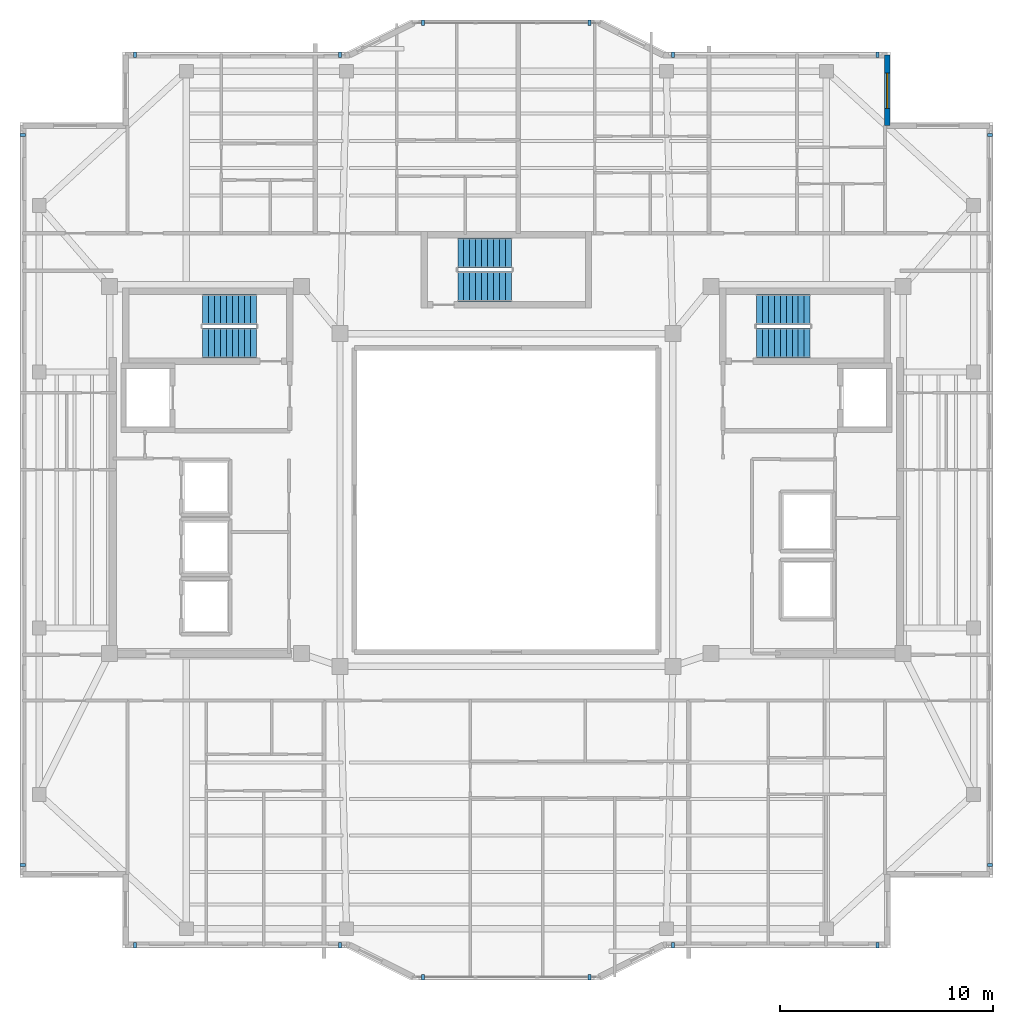
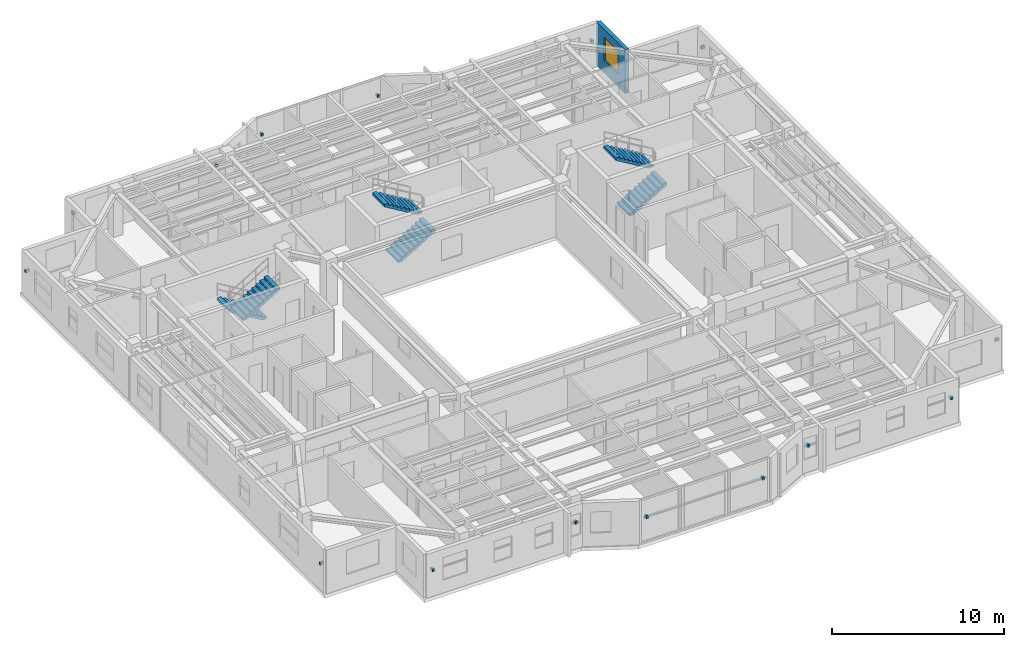
# One storey, part 12 of 15: 16 discrete accessories, 6 stair flights, 1 wall, 1 window, 1 opening, 3 elements without a shape of their own.
"""IFC4 building model written with IfcOpenShell, lengths in metres."""

from ifc_helpers import new_model, si_unit, direction, frame, frame_2d, origin, origin_2d, place, context, subcontext, project, spatial, polyline, rectangle, outline, extrude, material, layer, layer_set, type_object, element, fill, aggregate, save


model = new_model("IFC4")

# Units and contexts
model_context = context("Model", 3, precision=1e-05, world=origin(), true_north=direction((0.0, 1.0)))
body_context = subcontext(model_context, "Body", "Model", "MODEL_VIEW")
ifc_project = project(units=[si_unit("LENGTHUNIT", "METRE"), si_unit("AREAUNIT", "SQUARE_METRE"), si_unit("VOLUMEUNIT", "CUBIC_METRE"), si_unit("PLANEANGLEUNIT", "RADIAN"), si_unit("MASSUNIT", "GRAM", prefix="KILO")], contexts=[model_context])

# Site, building, storey
site_placement = place(None, origin())
site = spatial("IfcSite", under=ifc_project, at=site_placement, CompositionType="ELEMENT")
building_placement = place(site_placement, origin())
building = spatial("IfcBuilding", under=site, at=building_placement, Name="Tarnavaz Court Tower", CompositionType="ELEMENT")
storey_placement = place(building_placement, frame((0.0, 0.0, 241.5)))
storey = spatial("IfcBuildingStorey", under=building, at=storey_placement, Name="L65", CompositionType="ELEMENT", Elevation=241.5)

# Wall, opening, window
ifc_material_1 = material(Name="Precast Concrete C40/50", Category="concrete")
ifc_layer = layer(ifc_material_1, 0.260009765625)
ifc_layer_set = layer_set([ifc_layer], Name="Precast Concrete C40/50")
wall_type = type_object("IfcWallType", Name="WL-EXT-260", PredefinedType="SOLIDWALL", material=ifc_layer_set)
wall_placement = place(storey_placement, frame((17.85009765625, 20.85009765625, 0.0), z_axis=(0.0, 0.0, 1.0), x_axis=(0.0, -1.0, 0.0)))
wall = element("IfcWall", 1, at=wall_placement, inside=storey, type_object=wall_type, Name="L65 Exterior Terracotta Facade Wall 10", PredefinedType="SOLIDWALL", context=body_context, shape_type="SweptSolid", body=[
    extrude(rectangle(XDim=3.300048828125, YDim=0.260009765625, at=frame_2d((1.64990234375, 0.0))), origin(), (0.0, 0.0, 1.0), 3.10009765625),
])
opening_placement = place(wall_placement, frame((0.842529296875, 0.0, 0.89990234375)))
opening = element("IfcOpeningElement", 2, at=opening_placement, cuts=wall, Name="Opening W02", PredefinedType="OPENING", context=body_context, shape_type="SweptSolid", body=[
    extrude(rectangle(XDim=1.64990234375, YDim=1.60009765625, at=frame_2d((0.824951171875, 0.800048828125))), frame((0.0, 0.139892578125, 0.0), z_axis=(0.0, -1.0, 0.0), x_axis=(1.0, 0.0, 0.0)), (0.0, 0.0, 1.0), 0.280029296875),
])
ifc_material_2 = material(Name="Double-Glazed Solar Low-E Glass", Category="glass")
window_type = type_object("IfcWindowType", Name="WN-APT-1650", PartitioningType="DOUBLE_PANEL_VERTICAL", PredefinedType="WINDOW", material=ifc_material_2)
window_placement = place(opening_placement, origin())
window = element("IfcWindow", 3, at=window_placement, inside=storey, type_object=window_type, Name="L65 Flat 04 Bedroom 1 Window", OverallHeight=1.60009765625, OverallWidth=1.64990234375, PartitioningType="SINGLE_PANEL", PredefinedType="WINDOW", context=body_context, shape_type="SweptSolid", body=[
    extrude(rectangle(XDim=1.64990234375, YDim=1.60009765625, at=frame_2d((0.824951171875, 0.800048828125))), frame((0.0, 0.030029296875, 0.0), z_axis=(0.0, -1.0, 0.0), x_axis=(1.0, 0.0, 0.0)), (0.0, 0.0, 1.0), 0.06005859375),
])
fill(opening, window)

# Stair, stair flights
ifc_material_3 = material(Name="Concrete C40/50", Category="concrete")
stair_type = type_object("IfcStairType", Name="ST-TWR-20R", PredefinedType="HALF_TURN_STAIR", material=ifc_material_3)
stair_1_placement = place(storey_placement, origin())
stair_1 = element("IfcStair", 4, at=stair_1_placement, inside=storey, type_object=stair_type, Name="L65 West Core Pressurized Exit Stair ST-W1", PredefinedType="HALF_TURN_STAIR")
stair_flight_type = type_object("IfcStairFlightType", Name="SFL-RC-20R", PredefinedType="STRAIGHT", material=ifc_material_3)
stair_flight_1_placement = place(storey_placement, frame((-11.719970703125, 8.929931640625, 0.0), z_axis=(0.0, 0.0, 1.0), x_axis=(-1.0, 0.0, 0.0)))
stair_flight_1 = element("IfcStairFlight", 5, at=stair_flight_1_placement, type_object=stair_flight_type, Name="ST-W1 flight 1", NumberOfRisers=10, NumberOfTreads=9, PredefinedType="STRAIGHT", RiserHeight=0.1675, TreadLength=0.28, context=body_context, shape_type="SweptSolid", body=[
    extrude(outline(polyline([(0.0, 0.0), (0.0, 0.16748046875), (0.280029296875, 0.16748046875), (0.280029296875, 0.3349609375), (0.56005859375, 0.3349609375), (0.56005859375, 0.50244140625), (0.840087890625, 0.50244140625), (0.840087890625, 0.669921875), (1.1201171875, 0.669921875), (1.1201171875, 0.83740234375), (1.39990234375, 0.83740234375), (1.39990234375, 1.0048828125), (1.679931640625, 1.0048828125), (1.679931640625, 1.172607421875), (1.9599609375, 1.172607421875), (1.9599609375, 1.340087890625), (2.239990234375, 1.340087890625), (2.239990234375, 1.507568359375), (2.52001953125, 1.507568359375), (2.52001953125, 1.675048828125), (2.52001953125, 1.332763671875), (0.2919921875, 0.0), (0.0, 0.0)])), frame((0.0, 0.7099609375, 0.0), z_axis=(0.0, -1.0, 0.0), x_axis=(1.0, 0.0, 0.0)), (0.0, 0.0, 1.0), 1.419921875),
])
stair_flight_2_placement = place(storey_placement, frame((-14.239990234375, 7.360107421875, 1.675048828125), z_axis=(0.0, 0.0, 1.0), x_axis=(1.0, 0.0, 0.0)))
stair_flight_2 = element("IfcStairFlight", 6, at=stair_flight_2_placement, type_object=stair_flight_type, Name="ST-W1 flight 2", NumberOfRisers=10, NumberOfTreads=9, PredefinedType="STRAIGHT", RiserHeight=0.1675, TreadLength=0.28, context=body_context, shape_type="SweptSolid", body=[
    extrude(outline(polyline([(0.0, 0.0), (0.0, 0.16748046875), (0.280029296875, 0.16748046875), (0.280029296875, 0.3349609375), (0.56005859375, 0.3349609375), (0.56005859375, 0.50244140625), (0.840087890625, 0.50244140625), (0.840087890625, 0.669921875), (1.1201171875, 0.669921875), (1.1201171875, 0.83740234375), (1.39990234375, 0.83740234375), (1.39990234375, 1.0048828125), (1.679931640625, 1.0048828125), (1.679931640625, 1.172607421875), (1.9599609375, 1.172607421875), (1.9599609375, 1.340087890625), (2.239990234375, 1.340087890625), (2.239990234375, 1.507568359375), (2.52001953125, 1.507568359375), (2.52001953125, 1.675048828125), (2.52001953125, 1.332763671875), (0.2919921875, 0.0), (0.0, 0.0)])), frame((0.0, 0.7099609375, 0.0), z_axis=(0.0, -1.0, 0.0), x_axis=(1.0, 0.0, 0.0)), (0.0, 0.0, 1.0), 1.419921875),
])
aggregate(stair_1, [stair_flight_1, stair_flight_2])

stair_2_placement = place(storey_placement, origin())
stair_2 = element("IfcStair", 7, at=stair_2_placement, inside=storey, type_object=stair_type, Name="L65 East Core Pressurized Exit Stair ST-E1", PredefinedType="HALF_TURN_STAIR")
stair_flight_3_placement = place(storey_placement, frame((11.719970703125, 7.360107421875, 0.0), z_axis=(0.0, 0.0, 1.0), x_axis=(1.0, 0.0, 0.0)))
stair_flight_3 = element("IfcStairFlight", 8, at=stair_flight_3_placement, type_object=stair_flight_type, Name="ST-E1 flight 1", NumberOfRisers=10, NumberOfTreads=9, PredefinedType="STRAIGHT", RiserHeight=0.1675, TreadLength=0.28, context=body_context, shape_type="SweptSolid", body=[
    extrude(outline(polyline([(0.0, 0.0), (0.0, 0.16748046875), (0.280029296875, 0.16748046875), (0.280029296875, 0.3349609375), (0.56005859375, 0.3349609375), (0.56005859375, 0.50244140625), (0.840087890625, 0.50244140625), (0.840087890625, 0.669921875), (1.1201171875, 0.669921875), (1.1201171875, 0.83740234375), (1.39990234375, 0.83740234375), (1.39990234375, 1.0048828125), (1.679931640625, 1.0048828125), (1.679931640625, 1.172607421875), (1.9599609375, 1.172607421875), (1.9599609375, 1.340087890625), (2.239990234375, 1.340087890625), (2.239990234375, 1.507568359375), (2.52001953125, 1.507568359375), (2.52001953125, 1.675048828125), (2.52001953125, 1.332763671875), (0.2919921875, 0.0), (0.0, 0.0)])), frame((0.0, 0.7099609375, 0.0), z_axis=(0.0, -1.0, 0.0), x_axis=(1.0, 0.0, 0.0)), (0.0, 0.0, 1.0), 1.419921875),
])
stair_flight_4_placement = place(storey_placement, frame((14.239990234375, 8.929931640625, 1.675048828125), z_axis=(0.0, 0.0, 1.0), x_axis=(-1.0, 0.0, 0.0)))
stair_flight_4 = element("IfcStairFlight", 9, at=stair_flight_4_placement, type_object=stair_flight_type, Name="ST-E1 flight 2", NumberOfRisers=10, NumberOfTreads=9, PredefinedType="STRAIGHT", RiserHeight=0.1675, TreadLength=0.28, context=body_context, shape_type="SweptSolid", body=[
    extrude(outline(polyline([(0.0, 0.0), (0.0, 0.16748046875), (0.280029296875, 0.16748046875), (0.280029296875, 0.3349609375), (0.56005859375, 0.3349609375), (0.56005859375, 0.50244140625), (0.840087890625, 0.50244140625), (0.840087890625, 0.669921875), (1.1201171875, 0.669921875), (1.1201171875, 0.83740234375), (1.39990234375, 0.83740234375), (1.39990234375, 1.0048828125), (1.679931640625, 1.0048828125), (1.679931640625, 1.172607421875), (1.9599609375, 1.172607421875), (1.9599609375, 1.340087890625), (2.239990234375, 1.340087890625), (2.239990234375, 1.507568359375), (2.52001953125, 1.507568359375), (2.52001953125, 1.675048828125), (2.52001953125, 1.332763671875), (0.2919921875, 0.0), (0.0, 0.0)])), frame((0.0, 0.7099609375, 0.0), z_axis=(0.0, -1.0, 0.0), x_axis=(1.0, 0.0, 0.0)), (0.0, 0.0, 1.0), 1.419921875),
])
aggregate(stair_2, [stair_flight_3, stair_flight_4])

stair_3_placement = place(storey_placement, origin())
stair_3 = element("IfcStair", 10, at=stair_3_placement, inside=storey, type_object=stair_type, Name="L65 North Ring Pressurized Exit Stair ST-N1", PredefinedType="HALF_TURN_STAIR")
stair_flight_5_placement = place(storey_placement, frame((-2.280029296875, 10.010009765625, 0.0), z_axis=(0.0, 0.0, 1.0), x_axis=(1.0, 0.0, 0.0)))
stair_flight_5 = element("IfcStairFlight", 11, at=stair_flight_5_placement, type_object=stair_flight_type, Name="ST-N1 flight 1", NumberOfRisers=10, NumberOfTreads=9, PredefinedType="STRAIGHT", RiserHeight=0.1675, TreadLength=0.28, context=body_context, shape_type="SweptSolid", body=[
    extrude(outline(polyline([(0.0, 0.0), (0.0, 0.16748046875), (0.280029296875, 0.16748046875), (0.280029296875, 0.3349609375), (0.56005859375, 0.3349609375), (0.56005859375, 0.50244140625), (0.840087890625, 0.50244140625), (0.840087890625, 0.669921875), (1.1201171875, 0.669921875), (1.1201171875, 0.83740234375), (1.39990234375, 0.83740234375), (1.39990234375, 1.0048828125), (1.679931640625, 1.0048828125), (1.679931640625, 1.172607421875), (1.9599609375, 1.172607421875), (1.9599609375, 1.340087890625), (2.239990234375, 1.340087890625), (2.239990234375, 1.507568359375), (2.52001953125, 1.507568359375), (2.52001953125, 1.675048828125), (2.52001953125, 1.332763671875), (0.2919921875, 0.0), (0.0, 0.0)])), frame((0.0, 0.7099609375, 0.0), z_axis=(0.0, -1.0, 0.0), x_axis=(1.0, 0.0, 0.0)), (0.0, 0.0, 1.0), 1.419921875),
])
stair_flight_6_placement = place(storey_placement, frame((0.239990234375, 11.580078125, 1.675048828125), z_axis=(0.0, 0.0, 1.0), x_axis=(-1.0, 0.0, 0.0)))
stair_flight_6 = element("IfcStairFlight", 12, at=stair_flight_6_placement, type_object=stair_flight_type, Name="ST-N1 flight 2", NumberOfRisers=10, NumberOfTreads=9, PredefinedType="STRAIGHT", RiserHeight=0.1675, TreadLength=0.28, context=body_context, shape_type="SweptSolid", body=[
    extrude(outline(polyline([(0.0, 0.0), (0.0, 0.16748046875), (0.280029296875, 0.16748046875), (0.280029296875, 0.3349609375), (0.56005859375, 0.3349609375), (0.56005859375, 0.50244140625), (0.840087890625, 0.50244140625), (0.840087890625, 0.669921875), (1.1201171875, 0.669921875), (1.1201171875, 0.83740234375), (1.39990234375, 0.83740234375), (1.39990234375, 1.0048828125), (1.679931640625, 1.0048828125), (1.679931640625, 1.172607421875), (1.9599609375, 1.172607421875), (1.9599609375, 1.340087890625), (2.239990234375, 1.340087890625), (2.239990234375, 1.507568359375), (2.52001953125, 1.507568359375), (2.52001953125, 1.675048828125), (2.52001953125, 1.332763671875), (0.2919921875, 0.0), (0.0, 0.0)])), frame((0.0, 0.7099609375, 0.0), z_axis=(0.0, -1.0, 0.0), x_axis=(1.0, 0.0, 0.0)), (0.0, 0.0, 1.0), 1.419921875),
])
aggregate(stair_3, [stair_flight_5, stair_flight_6])

# Discrete accessories
ifc_material_4 = material(Name="Anodised Aluminium 6063-T6", Category="aluminium")
discrete_accessory_type = type_object("IfcDiscreteAccessoryType", Name="DA-BRKT-ALU", PredefinedType="BRACKET", material=ifc_material_4)
for number, where, z_axis, x_axis, name in (
    (13, (-22.669921875, -17.10009765625, 1.75), (0.0, 0.0, 1.0), (0.0, 1.0, 0.0), "L65 Baguette Outrigger Bracket FBG02-1"),
    (14, (-22.669921875, 17.10009765625, 1.75), (0.0, 0.0, 1.0), (0.0, 1.0, 0.0), "L65 Baguette Outrigger Bracket FBG02-2"),
    (15, (-17.39990234375, 20.8701171875, 1.75), (0.0, 0.0, 1.0), (1.0, 0.0, 0.0), "L65 Baguette Outrigger Bracket FBG05-1"),
    (16, (-7.800048828125, 20.8701171875, 1.75), (0.0, 0.0, 1.0), (1.0, 0.0, 0.0), "L65 Baguette Outrigger Bracket FBG05-2"),
    (17, (-3.89990234375, 22.3701171875, 1.7001953125), (0.0, 0.0, 1.0), (1.0, 0.0, 0.0), "L65 Baguette Outrigger Bracket PBG7-1"),
    (18, (3.89990234375, 22.3701171875, 1.7001953125), (0.0, 0.0, 1.0), (1.0, 0.0, 0.0), "L65 Baguette Outrigger Bracket PBG7-2"),
    (19, (7.800048828125, 20.8701171875, 1.75), (0.0, 0.0, 1.0), (1.0, 0.0, 0.0), "L65 Baguette Outrigger Bracket FBG09-1"),
    (20, (17.39990234375, 20.8701171875, 1.75), (0.0, 0.0, 1.0), (1.0, 0.0, 0.0), "L65 Baguette Outrigger Bracket FBG09-2"),
    (21, (22.669921875, 17.10009765625, 1.75), (0.0, 0.0, 1.0), (0.0, -1.0, 0.0), "L65 Baguette Outrigger Bracket FBG12-1"),
    (22, (22.669921875, -17.10009765625, 1.75), (0.0, 0.0, 1.0), (0.0, -1.0, 0.0), "L65 Baguette Outrigger Bracket FBG12-2"),
    (23, (17.39990234375, -20.8701171875, 1.75), (0.0, 0.0, 1.0), (-1.0, 0.0, 0.0), "L65 Baguette Outrigger Bracket FBG15-1"),
    (24, (7.800048828125, -20.8701171875, 1.75), (0.0, 0.0, 1.0), (-1.0, 0.0, 0.0), "L65 Baguette Outrigger Bracket FBG15-2"),
    (25, (3.89990234375, -22.3701171875, 1.7001953125), (0.0, 0.0, 1.0), (-1.0, 0.0, 0.0), "L65 Baguette Outrigger Bracket PBG17-1"),
    (26, (-3.89990234375, -22.3701171875, 1.7001953125), (0.0, 0.0, 1.0), (-1.0, 0.0, 0.0), "L65 Baguette Outrigger Bracket PBG17-2"),
    (27, (-7.800048828125, -20.8701171875, 1.75), (0.0, 0.0, 1.0), (-1.0, 0.0, 0.0), "L65 Baguette Outrigger Bracket FBG19-1"),
    (28, (-17.39990234375, -20.8701171875, 1.75), (0.0, 0.0, 1.0), (-1.0, 0.0, 0.0), "L65 Baguette Outrigger Bracket FBG19-2"),
):
    element("IfcDiscreteAccessory", number, at=place(storey_placement, frame(where, z_axis=z_axis, x_axis=x_axis)), inside=storey, type_object=discrete_accessory_type, Name=name, PredefinedType="BRACKET", context=body_context, shape_type="SweptSolid", body=[
        extrude(rectangle(XDim=0.139892578125, YDim=0.239990234375, at=origin_2d()), origin(), (0.0, 0.0, 1.0), 0.199951171875),
    ])

save(model, "model.ifc")
